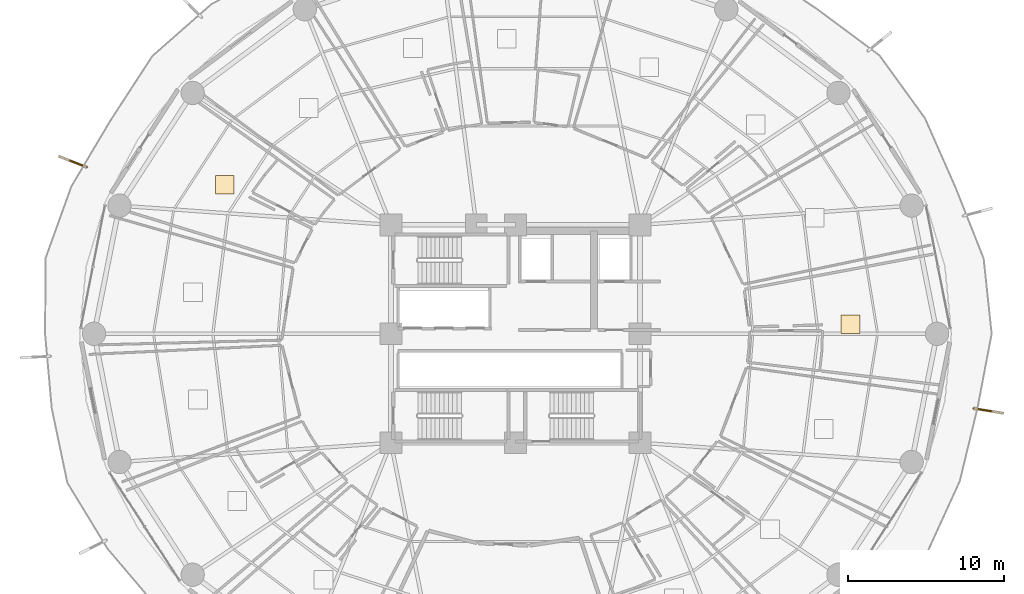
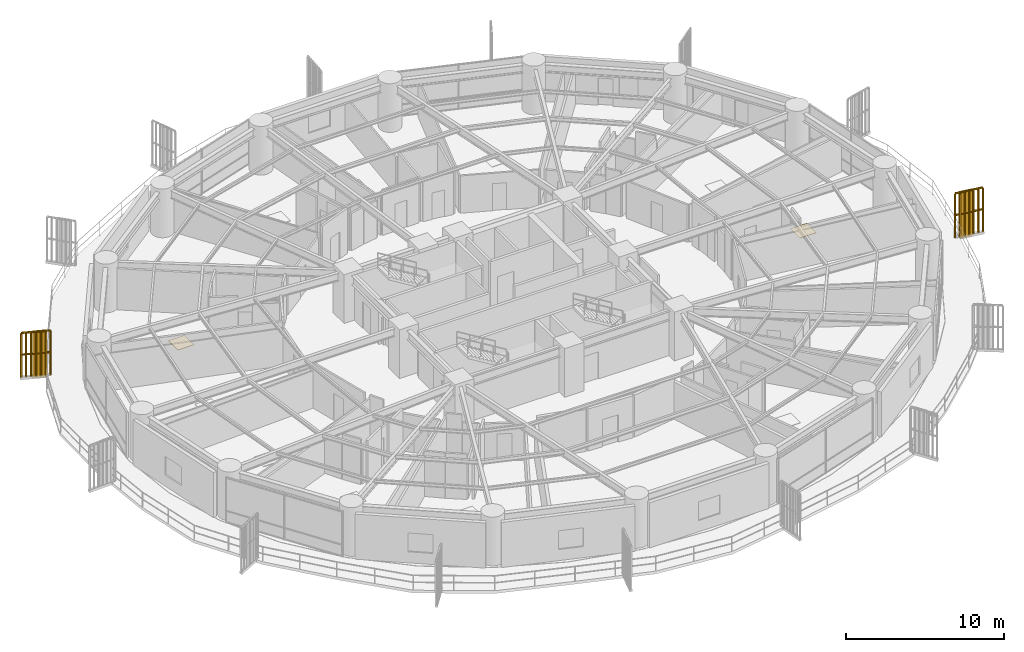
# One storey, part 31 of 33: 2 coverings, 2 railings, 2 shading devices.
"""IFC4 building model written with IfcOpenShell, lengths in metres."""

from ifc_helpers import new_model, si_unit, direction, frame, origin, origin_2d, place, context, subcontext, project, spatial, polyline, rectangle, outline, extrude, source, transform, mapped, material, layer, layer_set, type_object, element, save


model = new_model("IFC4")

# Units and contexts
model_context = context("Model", 3, precision=1e-05, world=origin(), true_north=direction((0.0, 1.0)))
body_context = subcontext(model_context, "Body", "Model", "MODEL_VIEW")
ifc_project = project(units=[si_unit("LENGTHUNIT", "METRE"), si_unit("AREAUNIT", "SQUARE_METRE"), si_unit("VOLUMEUNIT", "CUBIC_METRE"), si_unit("PLANEANGLEUNIT", "RADIAN"), si_unit("MASSUNIT", "GRAM", prefix="KILO")], contexts=[model_context])

# Site, building, storey
site_placement = place(None, origin())
site = spatial("IfcSite", under=ifc_project, at=site_placement, CompositionType="ELEMENT")
building_placement = place(site_placement, origin())
building = spatial("IfcBuilding", under=site, at=building_placement, Name="Kelanora Arch Commons", CompositionType="ELEMENT")
storey_placement = place(building_placement, frame((0.0, 0.0, 37.5)))
storey = spatial("IfcBuildingStorey", under=building, at=storey_placement, Name="L09", CompositionType="ELEMENT", Elevation=37.5)

# Railings
ifc_material_1 = material(Name="Anodised bronze vertical shading fin rib assembly")
railing_type = type_object("IfcRailingType", Name="RAIL-FIN-BRZ", PredefinedType="BALUSTRADE", material=ifc_material_1)
railing_1_placement = place(storey_placement, frame((46.448974609375, 68.709716796875, -0.02001953125)))
element("IfcRailing", 1, at=railing_1_placement, inside=storey, type_object=railing_type, Name="Sweeping Bronze Vertical Fin Blade L09-06", PredefinedType="BALUSTRADE", context=body_context, shape_type="SweptSolid", body=[
    extrude(outline(polyline([(0.06982421875, 0.0), (0.034912109375, 0.060546875), (-0.034912109375, 0.060546875), (-0.06982421875, 0.0), (-0.034912109375, -0.060546875), (0.034912109375, -0.060546875), (0.06982421875, 0.0)])), frame((0.0, 0.0, 3.419921875), z_axis=(-0.932094822247, 0.362214359655, 0.0), x_axis=(-0.362214359655, -0.932094822247, 0.0)), (0.0, 0.0, 1.0), 1.8798828125),
    extrude(outline(polyline([(0.06982421875, 0.0), (0.034912109375, 0.060546875), (-0.034912109375, 0.060546875), (-0.06982421875, 0.0), (-0.034912109375, -0.060546875), (0.034912109375, -0.060546875), (0.06982421875, 0.0)])), frame((0.0, 0.0, 1.7451171875), z_axis=(-0.932094822247, 0.362214359655, 0.0), x_axis=(-0.362214359655, -0.932094822247, 0.0)), (0.0, 0.0, 1.0), 1.8798828125),
    extrude(outline(polyline([(0.080078125, 0.0), (0.0400390625, 0.0693359375), (-0.0400390625, 0.0693359375), (-0.080078125, 0.0), (-0.0400390625, -0.0693359375), (0.0400390625, -0.0693359375), (0.080078125, 0.0)])), origin(), (0.0, 0.0, 1.0), 3.35009765625),
    extrude(outline(polyline([(0.080078125, 0.0), (0.0400390625, 0.0693359375), (-0.0400390625, 0.0693359375), (-0.080078125, 0.0), (-0.0400390625, -0.0693359375), (0.0400390625, -0.0693359375), (0.080078125, 0.0)])), frame((-0.2919921875, 0.113525390625, 0.0)), (0.0, 0.0, 1.0), 3.35009765625),
    extrude(outline(polyline([(0.080078125, 0.0), (0.0400390625, 0.0693359375), (-0.0400390625, 0.0693359375), (-0.080078125, 0.0), (-0.0400390625, -0.0693359375), (0.0400390625, -0.0693359375), (0.080078125, 0.0)])), frame((-0.583984375, 0.22705078125, 0.0)), (0.0, 0.0, 1.0), 3.35009765625),
    extrude(outline(polyline([(0.080078125, 0.0), (0.0400390625, 0.0693359375), (-0.0400390625, 0.0693359375), (-0.080078125, 0.0), (-0.0400390625, -0.0693359375), (0.0400390625, -0.0693359375), (0.080078125, 0.0)])), frame((-0.8759765625, 0.34033203125, 0.0)), (0.0, 0.0, 1.0), 3.35009765625),
    extrude(outline(polyline([(0.080078125, 0.0), (0.0400390625, 0.0693359375), (-0.0400390625, 0.0693359375), (-0.080078125, 0.0), (-0.0400390625, -0.0693359375), (0.0400390625, -0.0693359375), (0.080078125, 0.0)])), frame((-1.168212890625, 0.453857421875, 0.0)), (0.0, 0.0, 1.0), 3.35009765625),
    extrude(outline(polyline([(0.080078125, 0.0), (0.0400390625, 0.0693359375), (-0.0400390625, 0.0693359375), (-0.080078125, 0.0), (-0.0400390625, -0.0693359375), (0.0400390625, -0.0693359375), (0.080078125, 0.0)])), frame((-1.460205078125, 0.5673828125, 0.0)), (0.0, 0.0, 1.0), 3.35009765625),
    extrude(outline(polyline([(0.080078125, 0.0), (0.0400390625, 0.0693359375), (-0.0400390625, 0.0693359375), (-0.080078125, 0.0), (-0.0400390625, -0.0693359375), (0.0400390625, -0.0693359375), (0.080078125, 0.0)])), frame((-1.752197265625, 0.680908203125, 0.0)), (0.0, 0.0, 1.0), 3.35009765625),
])
railing_2_placement = place(storey_placement, frame((103.447021484375, 53.20849609375, -0.02001953125)))
element("IfcRailing", 2, at=railing_2_placement, inside=storey, type_object=railing_type, Name="Sweeping Bronze Vertical Fin Blade L09-14", PredefinedType="BALUSTRADE", context=body_context, shape_type="SweptSolid", body=[
    extrude(outline(polyline([(0.06982421875, 0.0), (0.034912109375, 0.060546875), (-0.034912109375, 0.060546875), (-0.06982421875, 0.0), (-0.034912109375, -0.060546875), (0.034912109375, -0.060546875), (0.06982421875, 0.0)])), frame((0.0, 0.0, 3.419921875), z_axis=(0.987011580327, -0.160649121693, 0.0), x_axis=(0.160649121693, 0.987011580327, 0.0)), (0.0, 0.0, 1.0), 1.8798828125),
    extrude(outline(polyline([(0.06982421875, 0.0), (0.034912109375, 0.060546875), (-0.034912109375, 0.060546875), (-0.06982421875, 0.0), (-0.034912109375, -0.060546875), (0.034912109375, -0.060546875), (0.06982421875, 0.0)])), frame((0.0, 0.0, 1.7451171875), z_axis=(0.987011580327, -0.160649121693, 0.0), x_axis=(0.160649121693, 0.987011580327, 0.0)), (0.0, 0.0, 1.0), 1.8798828125),
    extrude(outline(polyline([(0.080078125, 0.0), (0.0400390625, 0.0693359375), (-0.0400390625, 0.0693359375), (-0.080078125, 0.0), (-0.0400390625, -0.0693359375), (0.0400390625, -0.0693359375), (0.080078125, 0.0)])), origin(), (0.0, 0.0, 1.0), 3.35009765625),
    extrude(outline(polyline([(0.080078125, 0.0), (0.0400390625, 0.0693359375), (-0.0400390625, 0.0693359375), (-0.080078125, 0.0), (-0.0400390625, -0.0693359375), (0.0400390625, -0.0693359375), (0.080078125, 0.0)])), frame((0.309326171875, -0.05029296875, 0.0)), (0.0, 0.0, 1.0), 3.35009765625),
    extrude(outline(polyline([(0.080078125, 0.0), (0.0400390625, 0.0693359375), (-0.0400390625, 0.0693359375), (-0.080078125, 0.0), (-0.0400390625, -0.0693359375), (0.0400390625, -0.0693359375), (0.080078125, 0.0)])), frame((0.618408203125, -0.1005859375, 0.0)), (0.0, 0.0, 1.0), 3.35009765625),
    extrude(outline(polyline([(0.080078125, 0.0), (0.0400390625, 0.0693359375), (-0.0400390625, 0.0693359375), (-0.080078125, 0.0), (-0.0400390625, -0.0693359375), (0.0400390625, -0.0693359375), (0.080078125, 0.0)])), frame((0.927734375, -0.15087890625, 0.0)), (0.0, 0.0, 1.0), 3.35009765625),
    extrude(outline(polyline([(0.080078125, 0.0), (0.0400390625, 0.0693359375), (-0.0400390625, 0.0693359375), (-0.080078125, 0.0), (-0.0400390625, -0.0693359375), (0.0400390625, -0.0693359375), (0.080078125, 0.0)])), frame((1.237060546875, -0.201416015625, 0.0)), (0.0, 0.0, 1.0), 3.35009765625),
    extrude(outline(polyline([(0.080078125, 0.0), (0.0400390625, 0.0693359375), (-0.0400390625, 0.0693359375), (-0.080078125, 0.0), (-0.0400390625, -0.0693359375), (0.0400390625, -0.0693359375), (0.080078125, 0.0)])), frame((1.546142578125, -0.251708984375, 0.0)), (0.0, 0.0, 1.0), 3.35009765625),
    extrude(outline(polyline([(0.080078125, 0.0), (0.0400390625, 0.0693359375), (-0.0400390625, 0.0693359375), (-0.080078125, 0.0), (-0.0400390625, -0.0693359375), (0.0400390625, -0.0693359375), (0.080078125, 0.0)])), frame((1.85546875, -0.302001953125, 0.0)), (0.0, 0.0, 1.0), 3.35009765625),
])

# Shading devices
ifc_material_2 = material(Name="Terracotta ceramic-clad extruded aluminium fin", Category="masonry")
shading_device_type = type_object("IfcShadingDeviceType", Name="SHD-FIN-FLARE", PredefinedType="USERDEFINED", material=ifc_material_2)
shared_shape_1 = source(origin(), body_context, "Body", "SweptSolid", [
    extrude(rectangle(XDim=0.8798828125, YDim=0.090087890625, at=origin_2d()), origin(), (0.0, 0.0, 1.0), 3.610107421875),
])
for number, where, z_axis, x_axis, name in (
    (3, (45.77783203125, 68.970458984375, -0.14013671875), (0.0, 0.0, 1.0), (-0.932071112458, 0.362275366705, 0.0), "Sweeping Terracotta Fin L09-06"),
    (4, (104.15771484375, 53.0927734375, -0.14013671875), (0.0, 0.0, 1.0), (0.987024406397, -0.160570299793, 0.0), "Sweeping Terracotta Fin L09-14"),
):
    element("IfcShadingDevice", number, at=place(storey_placement, frame(where, z_axis=z_axis, x_axis=x_axis)), inside=storey, type_object=shading_device_type, Name=name, ObjectType="FIN", PredefinedType="USERDEFINED", context=body_context, shape_type="MappedRepresentation", body=[
        mapped(shared_shape_1, transform((0.0, 0.0, 0.0), scale=1.0)),
    ])

# Coverings
ifc_material_3 = material(Name="Polished local granite terrazzo flooring", Category="masonry")
ifc_layer = layer(ifc_material_3, 0.030029296875)
ifc_layer_set = layer_set([ifc_layer], Name="Polished local granite terrazzo flooring")
covering_type = type_object("IfcCoveringType", Name="COV-FLR-TER", PredefinedType="FLOORING", material=ifc_layer_set)
shared_shape_2 = source(origin(), body_context, "Body", "SweptSolid", [
    extrude(rectangle(XDim=1.199951171875, YDim=1.199951171875, at=origin_2d()), origin(), (0.0, 0.0, 1.0), 0.030029296875),
])
for number, where, z_axis, x_axis, name in (
    (5, (95.51611328125, 58.61279296875, 0.0), (0.0, 0.0, 1.0), (1.0, 0.0, 0.0), "Co-Living Studio L09-04 Terrazzo Finish"),
    (6, (55.317138671875, 67.579345703125, 0.0), (0.0, 0.0, 1.0), (1.0, 0.0, 0.0), "Co-Living Studio L09-11 Terrazzo Finish"),
):
    element("IfcCovering", number, at=place(storey_placement, frame(where, z_axis=z_axis, x_axis=x_axis)), inside=storey, type_object=covering_type, Name=name, PredefinedType="FLOORING", context=body_context, shape_type="MappedRepresentation", body=[
        mapped(shared_shape_2, transform((0.0, 0.0, 0.0), scale=1.0)),
    ])

save(model, "model.ifc")
